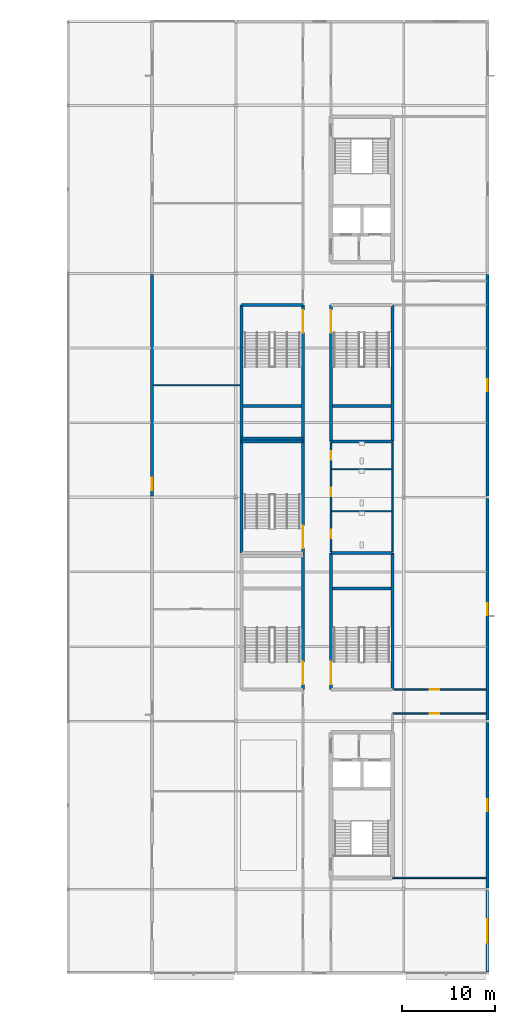
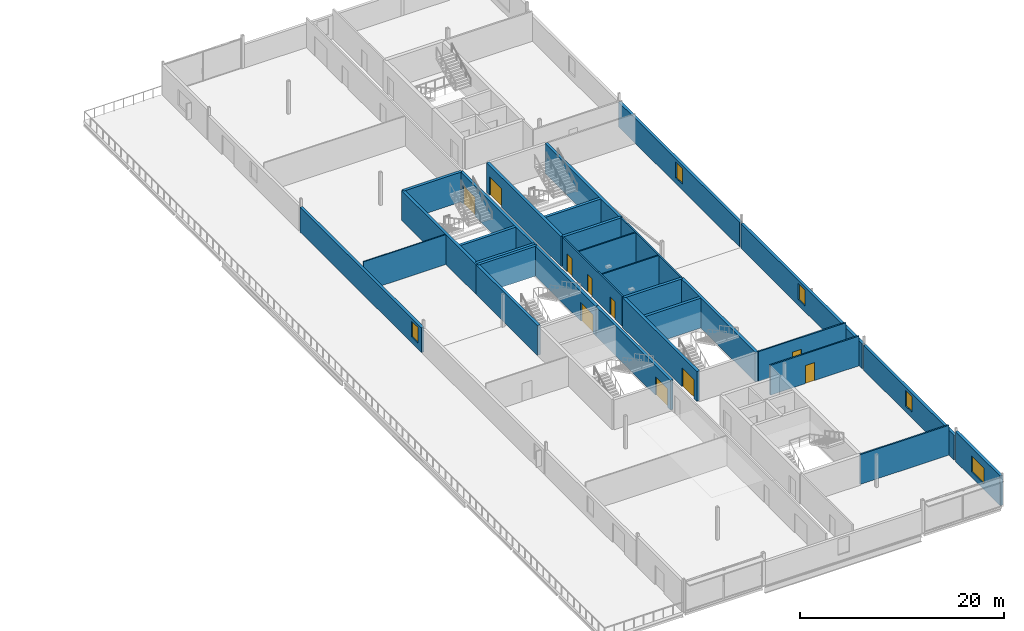
# One storey, part 32 of 55: 30 walls, 10 doors, 5 windows, 15 openings.
"""IFC4 building model written with IfcOpenShell, lengths in metres."""

from ifc_helpers import new_model, si_unit, direction, frame, frame_2d, origin, place, context, subcontext, project, spatial, rectangle, extrude, material, layer, layer_set, type_object, element, fill, save


model = new_model("IFC4")

# Units and contexts
model_context = context("Model", 3, precision=1e-05, world=origin(), true_north=direction((0.0, 1.0)))
body_context = subcontext(model_context, "Body", "Model", "MODEL_VIEW")
ifc_project = project(units=[si_unit("LENGTHUNIT", "METRE"), si_unit("AREAUNIT", "SQUARE_METRE"), si_unit("VOLUMEUNIT", "CUBIC_METRE"), si_unit("PLANEANGLEUNIT", "RADIAN"), si_unit("MASSUNIT", "GRAM", prefix="KILO")], contexts=[model_context])

# Site, building, storey
site_placement = place(None, origin())
site = spatial("IfcSite", under=ifc_project, at=site_placement, CompositionType="ELEMENT")
building_placement = place(site_placement, origin())
building = spatial("IfcBuilding", under=site, at=building_placement, Name="Kisiwana Market Hall", CompositionType="ELEMENT")
storey_placement = place(building_placement, frame((0.0, 0.0, 37.800048828125)))
storey = spatial("IfcBuildingStorey", under=building, at=storey_placement, Name="L08", CompositionType="ELEMENT", Elevation=37.800048828125)

# Wall
ifc_material_1 = material(Name="Concrete C40/50", Category="concrete")
ifc_layer_1 = layer(ifc_material_1, 0.320068359375, Name="Reinforced concrete shaft wall")
ifc_layer_set_1 = layer_set([ifc_layer_1], Name="WL-CORE-320")
wall_type_1 = type_object("IfcWallType", Name="WL-CORE-320", PredefinedType="SHEAR", material=ifc_layer_set_1)
wall_1_placement = place(storey_placement, frame((181.199951171875, 54.0, 0.0), z_axis=(0.0, 0.0, 1.0), x_axis=(1.0, 0.0, 0.0)))
element("IfcWall", 1, at=wall_1_placement, inside=storey, type_object=wall_type_1, Name="Core E3 north shear wall W-2309", PredefinedType="SHEAR", context=body_context, shape_type="SweptSolid", body=[
    extrude(rectangle(XDim=6.60009765625, YDim=0.320068359375, at=frame_2d((3.300048828125, 0.0))), origin(), (0.0, 0.0, 1.0), 3.56494140625),
])

# Wall, opening, door
wall_2_placement = place(storey_placement, frame((181.199951171875, 39.39990234375, 0.0), z_axis=(0.0, 0.0, 1.0), x_axis=(0.0, 1.0, 0.0)))
wall_2 = element("IfcWall", 2, at=wall_2_placement, inside=storey, type_object=wall_type_1, Name="Core E3 corridor shear wall W-2310", PredefinedType="SHEAR", context=body_context, shape_type="SweptSolid", body=[
    extrude(rectangle(XDim=14.60009765625, YDim=0.320068359375, at=frame_2d((7.300048828125, 0.0))), origin(), (0.0, 0.0, 1.0), 3.56494140625),
])
opening_1_placement = place(wall_2_placement, frame((0.550048828125, 0.0, 0.0)))
opening_1 = element("IfcOpeningElement", 3, at=opening_1_placement, cuts=wall_2, Name="Opening DR-L08-015", PredefinedType="OPENING", context=body_context, shape_type="SweptSolid", body=[
    extrude(rectangle(XDim=2.39990234375, YDim=2.25, at=frame_2d((1.199951171875, 1.125))), frame((0.0, 0.171875, 0.0), z_axis=(0.0, -1.0, 0.0), x_axis=(1.0, 0.0, 0.0)), (0.0, 0.0, 1.0), 0.343994140625),
])
ifc_material_2 = material(Name="Steel S275", Category="steel")
door_type_1 = type_object("IfcDoorType", Name="DR-STAIR-FD120-2400", OperationType="DOUBLE_DOOR_SINGLE_SWING", PredefinedType="DOOR", material=ifc_material_2)
door_1_placement = place(opening_1_placement, frame((2.39990234375, 0.0, 0.0), z_axis=(0.0, 0.0, 1.0), x_axis=(-1.0, 0.0, 0.0)))
door_1 = element("IfcDoor", 4, at=door_1_placement, inside=storey, type_object=door_type_1, Name="Escape Stair E3 Fire Door (L08)", OperationType="DOUBLE_DOOR_SINGLE_SWING", OverallHeight=2.25, OverallWidth=2.39990234375, PredefinedType="DOOR", context=body_context, shape_type="SweptSolid", body=[
    extrude(rectangle(XDim=2.39990234375, YDim=2.25, at=frame_2d((1.199951171875, 1.125))), frame((0.0, 0.02490234375, 0.0), z_axis=(0.0, -1.0, 0.0), x_axis=(1.0, 0.0, 0.0)), (0.0, 0.0, 1.0), 0.050048828125),
])
fill(opening_1, door_1)

# Walls
wall_3_placement = place(storey_placement, frame((187.800048828125, 39.39990234375, 0.0), z_axis=(0.0, 0.0, 1.0), x_axis=(0.0, 1.0, 0.0)))
element("IfcWall", 5, at=wall_3_placement, inside=storey, type_object=wall_type_1, Name="Core E3 outer shear wall W-2311", PredefinedType="SHEAR", context=body_context, shape_type="SweptSolid", body=[
    extrude(rectangle(XDim=14.60009765625, YDim=0.320068359375, at=frame_2d((7.300048828125, 0.0))), origin(), (0.0, 0.0, 1.0), 3.56494140625),
])
wall_4_placement = place(storey_placement, frame((181.360107421875, 50.219970703125, 0.0), z_axis=(0.0, 0.0, 1.0), x_axis=(1.0, 0.0, 0.0)))
element("IfcWall", 6, at=wall_4_placement, inside=storey, type_object=wall_type_1, Name="Core E3 riser divider shear wall W-2312", PredefinedType="SHEAR", context=body_context, shape_type="SweptSolid", body=[
    extrude(rectangle(XDim=6.27978515625, YDim=0.320068359375, at=frame_2d((3.139892578125, 0.0))), origin(), (0.0, 0.0, 1.0), 3.56494140625),
])
wall_5_placement = place(storey_placement, frame((181.199951171875, 66.0, 0.0), z_axis=(0.0, 0.0, 1.0), x_axis=(1.0, 0.0, 0.0)))
element("IfcWall", 7, at=wall_5_placement, inside=storey, type_object=wall_type_1, Name="Core E4 south shear wall W-2313", PredefinedType="SHEAR", context=body_context, shape_type="SweptSolid", body=[
    extrude(rectangle(XDim=6.60009765625, YDim=0.320068359375, at=frame_2d((3.300048828125, 0.0))), origin(), (0.0, 0.0, 1.0), 3.56494140625),
])

# Wall, opening, door
wall_6_placement = place(storey_placement, frame((181.199951171875, 66.0, 0.0), z_axis=(0.0, 0.0, 1.0), x_axis=(0.0, 1.0, 0.0)))
wall_6 = element("IfcWall", 8, at=wall_6_placement, inside=storey, type_object=wall_type_1, Name="Core E4 corridor shear wall W-2315", PredefinedType="SHEAR", context=body_context, shape_type="SweptSolid", body=[
    extrude(rectangle(XDim=14.60009765625, YDim=0.320068359375, at=frame_2d((7.300048828125, 0.0))), origin(), (0.0, 0.0, 1.0), 3.56494140625),
])
opening_2_placement = place(wall_6_placement, frame((11.64990234375, 0.0, 0.0)))
opening_2 = element("IfcOpeningElement", 9, at=opening_2_placement, cuts=wall_6, Name="Opening DR-L08-016", PredefinedType="OPENING", context=body_context, shape_type="SweptSolid", body=[
    extrude(rectangle(XDim=2.39990234375, YDim=2.25, at=frame_2d((1.199951171875, 1.125))), frame((0.0, 0.171875, 0.0), z_axis=(0.0, -1.0, 0.0), x_axis=(1.0, 0.0, 0.0)), (0.0, 0.0, 1.0), 0.343994140625),
])
door_2_placement = place(opening_2_placement, frame((2.39990234375, 0.0, 0.0), z_axis=(0.0, 0.0, 1.0), x_axis=(-1.0, 0.0, 0.0)))
door_2 = element("IfcDoor", 10, at=door_2_placement, inside=storey, type_object=door_type_1, Name="Escape Stair E4 Fire Door (L08)", OperationType="DOUBLE_DOOR_SINGLE_SWING", OverallHeight=2.25, OverallWidth=2.39990234375, PredefinedType="DOOR", context=body_context, shape_type="SweptSolid", body=[
    extrude(rectangle(XDim=2.39990234375, YDim=2.25, at=frame_2d((1.199951171875, 1.125))), frame((0.0, 0.02490234375, 0.0), z_axis=(0.0, -1.0, 0.0), x_axis=(1.0, 0.0, 0.0)), (0.0, 0.0, 1.0), 0.050048828125),
])
fill(opening_2, door_2)

# Walls
wall_7_placement = place(storey_placement, frame((187.800048828125, 66.0, 0.0), z_axis=(0.0, 0.0, 1.0), x_axis=(0.0, 1.0, 0.0)))
element("IfcWall", 11, at=wall_7_placement, inside=storey, type_object=wall_type_1, Name="Core E4 outer shear wall W-2316", PredefinedType="SHEAR", context=body_context, shape_type="SweptSolid", body=[
    extrude(rectangle(XDim=14.60009765625, YDim=0.320068359375, at=frame_2d((7.300048828125, 0.0))), origin(), (0.0, 0.0, 1.0), 3.56494140625),
])
wall_8_placement = place(storey_placement, frame((181.360107421875, 69.780029296875, 0.0), z_axis=(0.0, 0.0, 1.0), x_axis=(1.0, 0.0, 0.0)))
element("IfcWall", 12, at=wall_8_placement, inside=storey, type_object=wall_type_1, Name="Core E4 riser divider shear wall W-2317", PredefinedType="SHEAR", context=body_context, shape_type="SweptSolid", body=[
    extrude(rectangle(XDim=6.27978515625, YDim=0.320068359375, at=frame_2d((3.139892578125, 0.0))), origin(), (0.0, 0.0, 1.0), 3.56494140625),
])

# Wall, opening, door
wall_9_placement = place(storey_placement, frame((178.199951171875, 39.39990234375, 0.0), z_axis=(0.0, 0.0, 1.0), x_axis=(0.0, 1.0, 0.0)))
wall_9 = element("IfcWall", 13, at=wall_9_placement, inside=storey, type_object=wall_type_1, Name="Core E7 corridor shear wall W-2326", PredefinedType="SHEAR", context=body_context, shape_type="SweptSolid", body=[
    extrude(rectangle(XDim=14.60009765625, YDim=0.320068359375, at=frame_2d((7.300048828125, 0.0))), origin(), (0.0, 0.0, 1.0), 3.56494140625),
])
opening_3_placement = place(wall_9_placement, frame((0.550048828125, 0.0, 0.0)))
opening_3 = element("IfcOpeningElement", 14, at=opening_3_placement, cuts=wall_9, Name="Opening DR-L08-018", PredefinedType="OPENING", context=body_context, shape_type="SweptSolid", body=[
    extrude(rectangle(XDim=2.39990234375, YDim=2.25, at=frame_2d((1.199951171875, 1.125))), frame((0.0, 0.171875, 0.0), z_axis=(0.0, -1.0, 0.0), x_axis=(1.0, 0.0, 0.0)), (0.0, 0.0, 1.0), 0.343994140625),
])
door_3_placement = place(opening_3_placement, origin())
door_3 = element("IfcDoor", 15, at=door_3_placement, inside=storey, type_object=door_type_1, Name="Escape Stair E7 Fire Door (L08)", OperationType="DOUBLE_DOOR_SINGLE_SWING", OverallHeight=2.25, OverallWidth=2.39990234375, PredefinedType="DOOR", context=body_context, shape_type="SweptSolid", body=[
    extrude(rectangle(XDim=2.39990234375, YDim=2.25, at=frame_2d((1.199951171875, 1.125))), frame((0.0, 0.02490234375, 0.0), z_axis=(0.0, -1.0, 0.0), x_axis=(1.0, 0.0, 0.0)), (0.0, 0.0, 1.0), 0.050048828125),
])
fill(opening_3, door_3)

# Walls
for number, where, z_axis, x_axis, name in (
    (16, (171.60009765625, 66.0, 0.0), (0.0, 0.0, 1.0), (1.0, 0.0, 0.0), "Core E8 south shear wall W-2333"),
    (17, (171.60009765625, 80.60009765625, 0.0), (0.0, 0.0, 1.0), (1.0, 0.0, 0.0), "Core E8 north shear wall W-2334"),
):
    element("IfcWall", number, at=place(storey_placement, frame(where, z_axis=z_axis, x_axis=x_axis)), inside=storey, type_object=wall_type_1, Name=name, PredefinedType="SHEAR", context=body_context, shape_type="SweptSolid", body=[
        extrude(rectangle(XDim=6.599853515625, YDim=0.320068359375, at=frame_2d((3.2998046875, 0.0))), origin(), (0.0, 0.0, 1.0), 3.56494140625),
    ])
wall_10_placement = place(storey_placement, frame((171.60009765625, 66.0, 0.0), z_axis=(0.0, 0.0, 1.0), x_axis=(0.0, 1.0, 0.0)))
element("IfcWall", 18, at=wall_10_placement, inside=storey, type_object=wall_type_1, Name="Core E8 outer shear wall W-2335", PredefinedType="SHEAR", context=body_context, shape_type="SweptSolid", body=[
    extrude(rectangle(XDim=14.60009765625, YDim=0.320068359375, at=frame_2d((7.300048828125, 0.0))), origin(), (0.0, 0.0, 1.0), 3.56494140625),
])

# Wall, opening, door
wall_11_placement = place(storey_placement, frame((178.199951171875, 66.0, 0.0), z_axis=(0.0, 0.0, 1.0), x_axis=(0.0, 1.0, 0.0)))
wall_11 = element("IfcWall", 19, at=wall_11_placement, inside=storey, type_object=wall_type_1, Name="Core E8 corridor shear wall W-2336", PredefinedType="SHEAR", context=body_context, shape_type="SweptSolid", body=[
    extrude(rectangle(XDim=14.60009765625, YDim=0.320068359375, at=frame_2d((7.300048828125, 0.0))), origin(), (0.0, 0.0, 1.0), 3.56494140625),
])
opening_4_placement = place(wall_11_placement, frame((11.64990234375, 0.0, 0.0)))
opening_4 = element("IfcOpeningElement", 20, at=opening_4_placement, cuts=wall_11, Name="Opening DR-L08-020", PredefinedType="OPENING", context=body_context, shape_type="SweptSolid", body=[
    extrude(rectangle(XDim=2.39990234375, YDim=2.25, at=frame_2d((1.199951171875, 1.125))), frame((0.0, 0.171875, 0.0), z_axis=(0.0, -1.0, 0.0), x_axis=(1.0, 0.0, 0.0)), (0.0, 0.0, 1.0), 0.343994140625),
])
door_4_placement = place(opening_4_placement, origin())
door_4 = element("IfcDoor", 21, at=door_4_placement, inside=storey, type_object=door_type_1, Name="Escape Stair E8 Fire Door (L08)", OperationType="DOUBLE_DOOR_SINGLE_SWING", OverallHeight=2.25, OverallWidth=2.39990234375, PredefinedType="DOOR", context=body_context, shape_type="SweptSolid", body=[
    extrude(rectangle(XDim=2.39990234375, YDim=2.25, at=frame_2d((1.199951171875, 1.125))), frame((0.0, 0.02490234375, 0.0), z_axis=(0.0, -1.0, 0.0), x_axis=(1.0, 0.0, 0.0)), (0.0, 0.0, 1.0), 0.050048828125),
])
fill(opening_4, door_4)

# Walls
wall_12_placement = place(storey_placement, frame((171.760009765625, 69.780029296875, 0.0), z_axis=(0.0, 0.0, 1.0), x_axis=(1.0, 0.0, 0.0)))
element("IfcWall", 22, at=wall_12_placement, inside=storey, type_object=wall_type_1, Name="Core E8 riser divider shear wall W-2337", PredefinedType="SHEAR", context=body_context, shape_type="SweptSolid", body=[
    extrude(rectangle(XDim=6.280029296875, YDim=0.320068359375, at=frame_2d((3.14013671875, 0.0))), origin(), (0.0, 0.0, 1.0), 3.56494140625),
])
wall_13_placement = place(storey_placement, frame((171.60009765625, 66.320068359375, 0.0), z_axis=(0.0, 0.0, 1.0), x_axis=(1.0, 0.0, 0.0)))
element("IfcWall", 23, at=wall_13_placement, inside=storey, type_object=wall_type_1, Name="Core E5 north shear wall W-2343", PredefinedType="SHEAR", context=body_context, shape_type="SweptSolid", body=[
    extrude(rectangle(XDim=6.599853515625, YDim=0.320068359375, at=frame_2d((3.2998046875, 0.0))), origin(), (0.0, 0.0, 1.0), 3.56494140625),
])
wall_14_placement = place(storey_placement, frame((171.60009765625, 54.0, 0.0), z_axis=(0.0, 0.0, 1.0), x_axis=(0.0, 1.0, 0.0)))
element("IfcWall", 24, at=wall_14_placement, inside=storey, type_object=wall_type_1, Name="Core E5 outer shear wall W-2344", PredefinedType="SHEAR", context=body_context, shape_type="SweptSolid", body=[
    extrude(rectangle(XDim=12.0, YDim=0.320068359375, at=frame_2d((6.0, 0.0))), origin(), (0.0, 0.0, 1.0), 3.56494140625),
])

# Wall, opening, door
wall_15_placement = place(storey_placement, frame((178.199951171875, 54.0, 0.0), z_axis=(0.0, 0.0, 1.0), x_axis=(0.0, 1.0, 0.0)))
wall_15 = element("IfcWall", 25, at=wall_15_placement, inside=storey, type_object=wall_type_1, Name="Core E5 corridor shear wall W-2345", PredefinedType="SHEAR", context=body_context, shape_type="SweptSolid", body=[
    extrude(rectangle(XDim=12.0, YDim=0.320068359375, at=frame_2d((6.0, 0.0))), origin(), (0.0, 0.0, 1.0), 3.56494140625),
])
opening_5_placement = place(wall_15_placement, frame((0.550048828125, 0.0, 0.0)))
opening_5 = element("IfcOpeningElement", 26, at=opening_5_placement, cuts=wall_15, Name="Opening DR-L08-022", PredefinedType="OPENING", context=body_context, shape_type="SweptSolid", body=[
    extrude(rectangle(XDim=2.39990234375, YDim=2.25, at=frame_2d((1.199951171875, 1.125))), frame((0.0, 0.171875, 0.0), z_axis=(0.0, -1.0, 0.0), x_axis=(1.0, 0.0, 0.0)), (0.0, 0.0, 1.0), 0.343994140625),
])
door_5_placement = place(opening_5_placement, origin())
door_5 = element("IfcDoor", 27, at=door_5_placement, inside=storey, type_object=door_type_1, Name="Escape Stair E5 Fire Door (L08)", OperationType="DOUBLE_DOOR_SINGLE_SWING", OverallHeight=2.25, OverallWidth=2.39990234375, PredefinedType="DOOR", context=body_context, shape_type="SweptSolid", body=[
    extrude(rectangle(XDim=2.39990234375, YDim=2.25, at=frame_2d((1.199951171875, 1.125))), frame((0.0, 0.02490234375, 0.0), z_axis=(0.0, -1.0, 0.0), x_axis=(1.0, 0.0, 0.0)), (0.0, 0.0, 1.0), 0.050048828125),
])
fill(opening_5, door_5)

# Wall
ifc_material_3 = material(Name="Masonry blockwork", Category="masonry")
ifc_layer_2 = layer(ifc_material_3, 0.169921875, Name="Protected corridor partition")
ifc_layer_set_2 = layer_set([ifc_layer_2], Name="WL-CORR-170")
wall_type_2 = type_object("IfcWallType", Name="WL-CORR-170", PredefinedType="PARTITIONING", material=ifc_layer_set_2)
wall_16_placement = place(storey_placement, frame((187.800048828125, 54.159912109375, 0.0), z_axis=(0.0, 0.0, 1.0), x_axis=(0.0, 1.0, 0.0)))
element("IfcWall", 28, at=wall_16_placement, inside=storey, type_object=wall_type_2, Name="Interior partition W-2403", PredefinedType="PARTITIONING", context=body_context, shape_type="SweptSolid", body=[
    extrude(rectangle(XDim=11.68017578125, YDim=0.169921875, at=frame_2d((5.840087890625, 0.0))), origin(), (0.0, 0.0, 1.0), 3.56494140625),
])

# Wall, openings, doors
wall_17_placement = place(storey_placement, frame((181.199951171875, 54.159912109375, 0.0), z_axis=(0.0, 0.0, 1.0), x_axis=(0.0, 1.0, 0.0)))
wall_17 = element("IfcWall", 29, at=wall_17_placement, inside=storey, type_object=wall_type_2, Name="Interior partition W-2404", PredefinedType="PARTITIONING", context=body_context, shape_type="SweptSolid", body=[
    extrude(rectangle(XDim=11.68017578125, YDim=0.169921875, at=frame_2d((5.840087890625, 0.0))), origin(), (0.0, 0.0, 1.0), 3.56494140625),
])
opening_6_placement = place(wall_17_placement, frame((1.43994140625, 0.0, 0.0)))
opening_6 = element("IfcOpeningElement", 30, at=opening_6_placement, cuts=wall_17, Name="Opening DR-L08-040", PredefinedType="OPENING", context=body_context, shape_type="SweptSolid", body=[
    extrude(rectangle(XDim=0.89990234375, YDim=2.10009765625, at=frame_2d((0.449951171875, 1.050048828125))), frame((0.0, 0.096923828125, 0.0), z_axis=(0.0, -1.0, 0.0), x_axis=(1.0, 0.0, 0.0)), (0.0, 0.0, 1.0), 0.19384765625),
])
opening_7_placement = place(wall_17_placement, frame((5.93994140625, 0.0, 0.0)))
opening_7 = element("IfcOpeningElement", 31, at=opening_7_placement, cuts=wall_17, Name="Opening DR-L08-041", PredefinedType="OPENING", context=body_context, shape_type="SweptSolid", body=[
    extrude(rectangle(XDim=0.89990234375, YDim=2.10009765625, at=frame_2d((0.449951171875, 1.050048828125))), frame((0.0, 0.096923828125, 0.0), z_axis=(0.0, -1.0, 0.0), x_axis=(1.0, 0.0, 0.0)), (0.0, 0.0, 1.0), 0.19384765625),
])
opening_8_placement = place(wall_17_placement, frame((9.840087890625, 0.0, 0.0)))
opening_8 = element("IfcOpeningElement", 32, at=opening_8_placement, cuts=wall_17, Name="Opening DR-L08-042", PredefinedType="OPENING", context=body_context, shape_type="SweptSolid", body=[
    extrude(rectangle(XDim=0.949951171875, YDim=2.10009765625, at=frame_2d((0.47509765625, 1.050048828125))), frame((0.0, 0.096923828125, 0.0), z_axis=(0.0, -1.0, 0.0), x_axis=(1.0, 0.0, 0.0)), (0.0, 0.0, 1.0), 0.19384765625),
])
ifc_material_4 = material(Name="Aluminium alloy 6063-T6", Category="aluminium")
door_type_2 = type_object("IfcDoorType", Name="DR-WC-ACC-950", OperationType="NOTDEFINED", PredefinedType="DOOR", material=ifc_material_4)
door_6_placement = place(opening_8_placement, frame((0.949951171875, 0.0, 0.0), z_axis=(0.0, 0.0, 1.0), x_axis=(-1.0, 0.0, 0.0)))
door_6 = element("IfcDoor", 33, at=door_6_placement, inside=storey, type_object=door_type_2, Name="L08 E Accessible WC Door", OperationType="SINGLE_SWING_LEFT", OverallHeight=2.10009765625, OverallWidth=0.949951171875, PredefinedType="DOOR", context=body_context, shape_type="SweptSolid", body=[
    extrude(rectangle(XDim=0.949951171875, YDim=2.10009765625, at=frame_2d((0.47509765625, 1.050048828125))), frame((0.0, 0.02490234375, 0.0), z_axis=(0.0, -1.0, 0.0), x_axis=(1.0, 0.0, 0.0)), (0.0, 0.0, 1.0), 0.050048828125),
])
fill(opening_8, door_6)
ifc_material_5 = material(Name="Aluminium alloy 6063-T6", Category="aluminium")
door_type_3 = type_object("IfcDoorType", Name="DR-WC-STD-900", OperationType="NOTDEFINED", PredefinedType="DOOR", material=ifc_material_5)
door_7_placement = place(opening_6_placement, frame((0.89990234375, 0.0, 0.0), z_axis=(0.0, 0.0, 1.0), x_axis=(-1.0, 0.0, 0.0)))
door_7 = element("IfcDoor", 34, at=door_7_placement, inside=storey, type_object=door_type_3, Name="L08 E Male Toilet Door", OperationType="SINGLE_SWING_RIGHT", OverallHeight=2.10009765625, OverallWidth=0.89990234375, PredefinedType="DOOR", context=body_context, shape_type="SweptSolid", body=[
    extrude(rectangle(XDim=0.89990234375, YDim=2.10009765625, at=frame_2d((0.449951171875, 1.050048828125))), frame((0.0, 0.02490234375, 0.0), z_axis=(0.0, -1.0, 0.0), x_axis=(1.0, 0.0, 0.0)), (0.0, 0.0, 1.0), 0.050048828125),
])
fill(opening_6, door_7)
door_8_placement = place(opening_7_placement, frame((0.89990234375, 0.0, 0.0), z_axis=(0.0, 0.0, 1.0), x_axis=(-1.0, 0.0, 0.0)))
door_8 = element("IfcDoor", 35, at=door_8_placement, inside=storey, type_object=door_type_3, Name="L08 E Female Toilet Door", OperationType="SINGLE_SWING_LEFT", OverallHeight=2.10009765625, OverallWidth=0.89990234375, PredefinedType="DOOR", context=body_context, shape_type="SweptSolid", body=[
    extrude(rectangle(XDim=0.89990234375, YDim=2.10009765625, at=frame_2d((0.449951171875, 1.050048828125))), frame((0.0, 0.02490234375, 0.0), z_axis=(0.0, -1.0, 0.0), x_axis=(1.0, 0.0, 0.0)), (0.0, 0.0, 1.0), 0.050048828125),
])
fill(opening_7, door_8)

# Wall
wall_18_placement = place(storey_placement, frame((187.800048828125, 19.199951171875, 0.0), z_axis=(0.0, 0.0, 1.0), x_axis=(1.0, 0.0, 0.0)))
element("IfcWall", 36, at=wall_18_placement, inside=storey, type_object=wall_type_2, Name="Interior partition W-2409", PredefinedType="PARTITIONING", context=body_context, shape_type="SweptSolid", body=[
    extrude(rectangle(XDim=10.054931640625, YDim=0.169921875, at=frame_2d((5.02734375, 0.0))), origin(), (0.0, 0.0, 1.0), 3.56494140625),
])

# Wall, opening, window
ifc_material_6 = material(Name="Concrete C40/50 precast", Category="concrete")
ifc_layer_3 = layer(ifc_material_6, 0.31494140625)
ifc_layer_set_3 = layer_set([ifc_layer_3], Name="WL-EXT-315")
wall_type_3 = type_object("IfcWallType", Name="WL-EXT-315", PredefinedType="STANDARD", material=ifc_layer_set_3)
wall_19_placement = place(storey_placement, frame((162.0, 60.114990234375, 0.0), z_axis=(0.0, 0.0, 1.0), x_axis=(0.0, 1.0, 0.0)))
wall_19 = element("IfcWall", 37, at=wall_19_placement, inside=storey, type_object=wall_type_3, Name="Exterior wall W-2370", PredefinedType="STANDARD", context=body_context, shape_type="SweptSolid", body=[
    extrude(rectangle(XDim=23.77001953125, YDim=0.31494140625, at=frame_2d((11.885009765625, 0.0))), origin(), (0.0, 0.0, 1.0), 2.95263671875),
])
opening_9_placement = place(wall_19_placement, frame((0.64990234375, 0.0, 0.699951171875)))
opening_9 = element("IfcOpeningElement", 38, at=opening_9_placement, cuts=wall_19, Name="Opening WN-08", PredefinedType="OPENING", context=body_context, shape_type="SweptSolid", body=[
    extrude(rectangle(XDim=1.300048828125, YDim=1.89990234375, at=frame_2d((0.64990234375, 0.949951171875))), frame((0.0, 0.16943359375, 0.0), z_axis=(0.0, -1.0, 0.0), x_axis=(1.0, 0.0, 0.0)), (0.0, 0.0, 1.0), 0.3388671875),
])
ifc_material_7 = material(Name="Double-glazed solar-control low-E IGU", Category="glass")
window_type_1 = type_object("IfcWindowType", Name="WN-OFFB-1300x1900", PartitioningType="SINGLE_PANEL", PredefinedType="WINDOW", material=ifc_material_7)
window_1_placement = place(opening_9_placement, origin())
window_1 = element("IfcWindow", 39, at=window_1_placement, inside=storey, type_object=window_type_1, Name="Exterior window WN-241", OverallHeight=1.89990234375, OverallWidth=1.300048828125, PartitioningType="SINGLE_PANEL", PredefinedType="WINDOW", context=body_context, shape_type="SweptSolid", body=[
    extrude(rectangle(XDim=1.300048828125, YDim=1.89990234375, at=frame_2d((0.64990234375, 0.949951171875))), frame((0.0, 0.030029296875, 0.0), z_axis=(0.0, -1.0, 0.0), x_axis=(1.0, 0.0, 0.0)), (0.0, 0.0, 1.0), 0.06005859375),
])
fill(opening_9, window_1)

wall_20_placement = place(storey_placement, frame((198.0, 9.114990234375, 0.0), z_axis=(0.0, 0.0, 1.0), x_axis=(0.0, 1.0, 0.0)))
wall_20 = element("IfcWall", 40, at=wall_20_placement, inside=storey, type_object=wall_type_3, Name="Exterior wall W-2373", PredefinedType="STANDARD", context=body_context, shape_type="SweptSolid", body=[
    extrude(rectangle(XDim=8.77001953125, YDim=0.31494140625, at=frame_2d((4.385009765625, 0.0))), origin(), (0.0, 0.0, 1.0), 3.56494140625),
])
opening_10_placement = place(wall_20_placement, frame((3.135009765625, 0.0, 0.699951171875)))
opening_10 = element("IfcOpeningElement", 41, at=opening_10_placement, cuts=wall_20, Name="Opening WN-17", PredefinedType="OPENING", context=body_context, shape_type="SweptSolid", body=[
    extrude(rectangle(XDim=2.5, YDim=1.89990234375, at=frame_2d((1.25, 0.949951171875))), frame((0.0, 0.16943359375, 0.0), z_axis=(0.0, -1.0, 0.0), x_axis=(1.0, 0.0, 0.0)), (0.0, 0.0, 1.0), 0.3388671875),
])
ifc_material_8 = material(Name="Double-glazed solar-control low-E IGU", Category="glass")
window_type_2 = type_object("IfcWindowType", Name="WN-OFFB-2500x1900", PartitioningType="SINGLE_PANEL", PredefinedType="WINDOW", material=ifc_material_8)
window_2_placement = place(opening_10_placement, origin())
window_2 = element("IfcWindow", 42, at=window_2_placement, inside=storey, type_object=window_type_2, Name="Exterior window WN-256", OverallHeight=1.89990234375, OverallWidth=2.5, PartitioningType="SINGLE_PANEL", PredefinedType="WINDOW", context=body_context, shape_type="SweptSolid", body=[
    extrude(rectangle(XDim=2.5, YDim=1.89990234375, at=frame_2d((1.25, 0.949951171875))), frame((0.0, 0.030029296875, 0.0), z_axis=(0.0, -1.0, 0.0), x_axis=(1.0, 0.0, 0.0)), (0.0, 0.0, 1.0), 0.06005859375),
])
fill(opening_10, window_2)

wall_21_placement = place(storey_placement, frame((198.0, 18.114990234375, 0.0), z_axis=(0.0, 0.0, 1.0), x_axis=(0.0, 1.0, 0.0)))
wall_21 = element("IfcWall", 43, at=wall_21_placement, inside=storey, type_object=wall_type_3, Name="Exterior wall W-2374", PredefinedType="STANDARD", context=body_context, shape_type="SweptSolid", body=[
    extrude(rectangle(XDim=17.77001953125, YDim=0.31494140625, at=frame_2d((8.885009765625, 0.0))), origin(), (0.0, 0.0, 1.0), 2.95263671875),
])
opening_11_placement = place(wall_21_placement, frame((8.235107421875, 0.0, 0.699951171875)))
opening_11 = element("IfcOpeningElement", 44, at=opening_11_placement, cuts=wall_21, Name="Opening WN-08", PredefinedType="OPENING", context=body_context, shape_type="SweptSolid", body=[
    extrude(rectangle(XDim=1.300048828125, YDim=1.89990234375, at=frame_2d((0.64990234375, 0.949951171875))), frame((0.0, 0.16943359375, 0.0), z_axis=(0.0, -1.0, 0.0), x_axis=(1.0, 0.0, 0.0)), (0.0, 0.0, 1.0), 0.3388671875),
])
window_3_placement = place(opening_11_placement, origin())
window_3 = element("IfcWindow", 45, at=window_3_placement, inside=storey, type_object=window_type_1, Name="Exterior window WN-243", OverallHeight=1.89990234375, OverallWidth=1.300048828125, PartitioningType="SINGLE_PANEL", PredefinedType="WINDOW", context=body_context, shape_type="SweptSolid", body=[
    extrude(rectangle(XDim=1.300048828125, YDim=1.89990234375, at=frame_2d((0.64990234375, 0.949951171875))), frame((0.0, 0.030029296875, 0.0), z_axis=(0.0, -1.0, 0.0), x_axis=(1.0, 0.0, 0.0)), (0.0, 0.0, 1.0), 0.06005859375),
])
fill(opening_11, window_3)

wall_22_placement = place(storey_placement, frame((198.0, 36.114990234375, 0.0), z_axis=(0.0, 0.0, 1.0), x_axis=(0.0, 1.0, 0.0)))
wall_22 = element("IfcWall", 46, at=wall_22_placement, inside=storey, type_object=wall_type_3, Name="Exterior wall W-2375", PredefinedType="STANDARD", context=body_context, shape_type="SweptSolid", body=[
    extrude(rectangle(XDim=23.77001953125, YDim=0.31494140625, at=frame_2d((11.885009765625, 0.0))), origin(), (0.0, 0.0, 1.0), 2.95263671875),
])
opening_12_placement = place(wall_22_placement, frame((11.235107421875, 0.0, 0.699951171875)))
opening_12 = element("IfcOpeningElement", 47, at=opening_12_placement, cuts=wall_22, Name="Opening WN-08", PredefinedType="OPENING", context=body_context, shape_type="SweptSolid", body=[
    extrude(rectangle(XDim=1.300048828125, YDim=1.89990234375, at=frame_2d((0.64990234375, 0.949951171875))), frame((0.0, 0.16943359375, 0.0), z_axis=(0.0, -1.0, 0.0), x_axis=(1.0, 0.0, 0.0)), (0.0, 0.0, 1.0), 0.3388671875),
])
window_4_placement = place(opening_12_placement, origin())
window_4 = element("IfcWindow", 48, at=window_4_placement, inside=storey, type_object=window_type_1, Name="Exterior window WN-244", OverallHeight=1.89990234375, OverallWidth=1.300048828125, PartitioningType="SINGLE_PANEL", PredefinedType="WINDOW", context=body_context, shape_type="SweptSolid", body=[
    extrude(rectangle(XDim=1.300048828125, YDim=1.89990234375, at=frame_2d((0.64990234375, 0.949951171875))), frame((0.0, 0.030029296875, 0.0), z_axis=(0.0, -1.0, 0.0), x_axis=(1.0, 0.0, 0.0)), (0.0, 0.0, 1.0), 0.06005859375),
])
fill(opening_12, window_4)

wall_23_placement = place(storey_placement, frame((198.0, 60.114990234375, 0.0), z_axis=(0.0, 0.0, 1.0), x_axis=(0.0, 1.0, 0.0)))
wall_23 = element("IfcWall", 49, at=wall_23_placement, inside=storey, type_object=wall_type_3, Name="Exterior wall W-2376", PredefinedType="STANDARD", context=body_context, shape_type="SweptSolid", body=[
    extrude(rectangle(XDim=23.77001953125, YDim=0.31494140625, at=frame_2d((11.885009765625, 0.0))), origin(), (0.0, 0.0, 1.0), 2.95263671875),
])
opening_13_placement = place(wall_23_placement, frame((11.235107421875, 0.0, 0.699951171875)))
opening_13 = element("IfcOpeningElement", 50, at=opening_13_placement, cuts=wall_23, Name="Opening WN-08", PredefinedType="OPENING", context=body_context, shape_type="SweptSolid", body=[
    extrude(rectangle(XDim=1.300048828125, YDim=1.89990234375, at=frame_2d((0.64990234375, 0.949951171875))), frame((0.0, 0.16943359375, 0.0), z_axis=(0.0, -1.0, 0.0), x_axis=(1.0, 0.0, 0.0)), (0.0, 0.0, 1.0), 0.3388671875),
])
window_5_placement = place(opening_13_placement, origin())
window_5 = element("IfcWindow", 51, at=window_5_placement, inside=storey, type_object=window_type_1, Name="Exterior window WN-245", OverallHeight=1.89990234375, OverallWidth=1.300048828125, PartitioningType="SINGLE_PANEL", PredefinedType="WINDOW", context=body_context, shape_type="SweptSolid", body=[
    extrude(rectangle(XDim=1.300048828125, YDim=1.89990234375, at=frame_2d((0.64990234375, 0.949951171875))), frame((0.0, 0.030029296875, 0.0), z_axis=(0.0, -1.0, 0.0), x_axis=(1.0, 0.0, 0.0)), (0.0, 0.0, 1.0), 0.06005859375),
])
fill(opening_13, window_5)

# Wall
ifc_material_9 = material(Name="Gypsum plasterboard")
ifc_layer_4 = layer(ifc_material_9, 0.125, Name="Double gypsum board + acoustic stud")
ifc_layer_set_4 = layer_set([ifc_layer_4], Name="WL-OFF-125")
wall_type_4 = type_object("IfcWallType", Name="WL-OFF-125", PredefinedType="PARTITIONING", material=ifc_layer_set_4)
wall_24_placement = place(storey_placement, frame((162.14501953125, 72.0, 0.0), z_axis=(0.0, 0.0, 1.0), x_axis=(1.0, 0.0, 0.0)))
element("IfcWall", 52, at=wall_24_placement, inside=storey, type_object=wall_type_4, Name="Interior partition W-2419", PredefinedType="PARTITIONING", context=body_context, shape_type="SweptSolid", body=[
    extrude(rectangle(XDim=9.294921875, YDim=0.125, at=frame_2d((4.6474609375, 0.0))), origin(), (0.0, 0.0, 1.0), 3.56494140625),
])

# Wall, opening, door
ifc_material_10 = material(Name="Masonry blockwork", Category="masonry")
ifc_layer_5 = layer(ifc_material_10, 0.159912109375)
ifc_layer_set_5 = layer_set([ifc_layer_5], Name="WL-PART-160")
wall_type_5 = type_object("IfcWallType", Name="WL-PART-160", PredefinedType="PARTITIONING", material=ifc_layer_set_5)
wall_25_placement = place(storey_placement, frame((187.800048828125, 36.800048828125, 0.0), z_axis=(0.0, 0.0, 1.0), x_axis=(1.0, 0.0, 0.0)))
wall_25 = element("IfcWall", 53, at=wall_25_placement, inside=storey, type_object=wall_type_5, Name="Interior partition W-2411", PredefinedType="PARTITIONING", context=body_context, shape_type="SweptSolid", body=[
    extrude(rectangle(XDim=10.054931640625, YDim=0.159912109375, at=frame_2d((5.02734375, 0.0))), origin(), (0.0, 0.0, 1.0), 3.56494140625),
])
opening_14_placement = place(wall_25_placement, frame((4.0, 0.0, 0.0)))
opening_14 = element("IfcOpeningElement", 54, at=opening_14_placement, cuts=wall_25, Name="Opening DR-L08-043", PredefinedType="OPENING", context=body_context, shape_type="SweptSolid", body=[
    extrude(rectangle(XDim=1.0, YDim=2.14990234375, at=frame_2d((0.5, 1.074951171875))), frame((0.0, 0.091796875, 0.0), z_axis=(0.0, -1.0, 0.0), x_axis=(1.0, 0.0, 0.0)), (0.0, 0.0, 1.0), 0.183837890625),
])
ifc_material_11 = material(Name="Aluminium alloy 6063-T6", Category="aluminium")
door_type_4 = type_object("IfcDoorType", Name="DR-OFF-1000", OperationType="NOTDEFINED", PredefinedType="DOOR", material=ifc_material_11)
door_9_placement = place(opening_14_placement, frame((1.0, 0.0, 0.0), z_axis=(0.0, 0.0, 1.0), x_axis=(-1.0, 0.0, 0.0)))
door_9 = element("IfcDoor", 55, at=door_9_placement, inside=storey, type_object=door_type_4, Name="L08 E Commercial Office South Door", OperationType="SINGLE_SWING_RIGHT", OverallHeight=2.14990234375, OverallWidth=1.0, PredefinedType="DOOR", context=body_context, shape_type="SweptSolid", body=[
    extrude(rectangle(XDim=1.0, YDim=2.14990234375, at=frame_2d((0.5, 1.074951171875))), frame((0.0, 0.02490234375, 0.0), z_axis=(0.0, -1.0, 0.0), x_axis=(1.0, 0.0, 0.0)), (0.0, 0.0, 1.0), 0.050048828125),
])
fill(opening_14, door_9)

wall_26_placement = place(storey_placement, frame((187.9599609375, 39.39990234375, 0.0), z_axis=(0.0, 0.0, 1.0), x_axis=(1.0, 0.0, 0.0)))
wall_26 = element("IfcWall", 56, at=wall_26_placement, inside=storey, type_object=wall_type_5, Name="Interior partition W-2412", PredefinedType="PARTITIONING", context=body_context, shape_type="SweptSolid", body=[
    extrude(rectangle(XDim=9.89501953125, YDim=0.159912109375, at=frame_2d((4.947509765625, 0.0))), origin(), (0.0, 0.0, 1.0), 3.56494140625),
])
opening_15_placement = place(wall_26_placement, frame((3.840087890625, 0.0, 0.0)))
opening_15 = element("IfcOpeningElement", 57, at=opening_15_placement, cuts=wall_26, Name="Opening DR-L08-044", PredefinedType="OPENING", context=body_context, shape_type="SweptSolid", body=[
    extrude(rectangle(XDim=1.0, YDim=2.14990234375, at=frame_2d((0.5, 1.074951171875))), frame((0.0, 0.091796875, 0.0), z_axis=(0.0, -1.0, 0.0), x_axis=(1.0, 0.0, 0.0)), (0.0, 0.0, 1.0), 0.183837890625),
])
door_10_placement = place(opening_15_placement, origin())
door_10 = element("IfcDoor", 58, at=door_10_placement, inside=storey, type_object=door_type_4, Name="L08 E Commercial Office Central Door", OperationType="SINGLE_SWING_LEFT", OverallHeight=2.14990234375, OverallWidth=1.0, PredefinedType="DOOR", context=body_context, shape_type="SweptSolid", body=[
    extrude(rectangle(XDim=1.0, YDim=2.14990234375, at=frame_2d((0.5, 1.074951171875))), frame((0.0, 0.02490234375, 0.0), z_axis=(0.0, -1.0, 0.0), x_axis=(1.0, 0.0, 0.0)), (0.0, 0.0, 1.0), 0.050048828125),
])
fill(opening_15, door_10)

# Walls
ifc_material_12 = material(Name="Masonry blockwork", Category="masonry")
ifc_layer_6 = layer(ifc_material_12, 0.14990234375, Name="Water-resistant sanitary block wall")
ifc_layer_set_6 = layer_set([ifc_layer_6], Name="WL-WET-150")
wall_type_6 = type_object("IfcWallType", Name="WL-WET-150", PredefinedType="PARTITIONING", material=ifc_layer_set_6)
for number, where, z_axis, x_axis, name in (
    (59, (181.284912109375, 58.5, 0.0), (0.0, 0.0, 1.0), (1.0, 0.0, 0.0), "Interior partition W-2405"),
    (60, (181.284912109375, 63.0, 0.0), (0.0, 0.0, 1.0), (1.0, 0.0, 0.0), "Interior partition W-2406"),
):
    element("IfcWall", number, at=place(storey_placement, frame(where, z_axis=z_axis, x_axis=x_axis)), inside=storey, type_object=wall_type_6, Name=name, PredefinedType="PARTITIONING", context=body_context, shape_type="SweptSolid", body=[
        extrude(rectangle(XDim=6.43017578125, YDim=0.14990234375, at=frame_2d((3.215087890625, 0.0))), origin(), (0.0, 0.0, 1.0), 3.56494140625),
    ])

save(model, "model.ifc")
